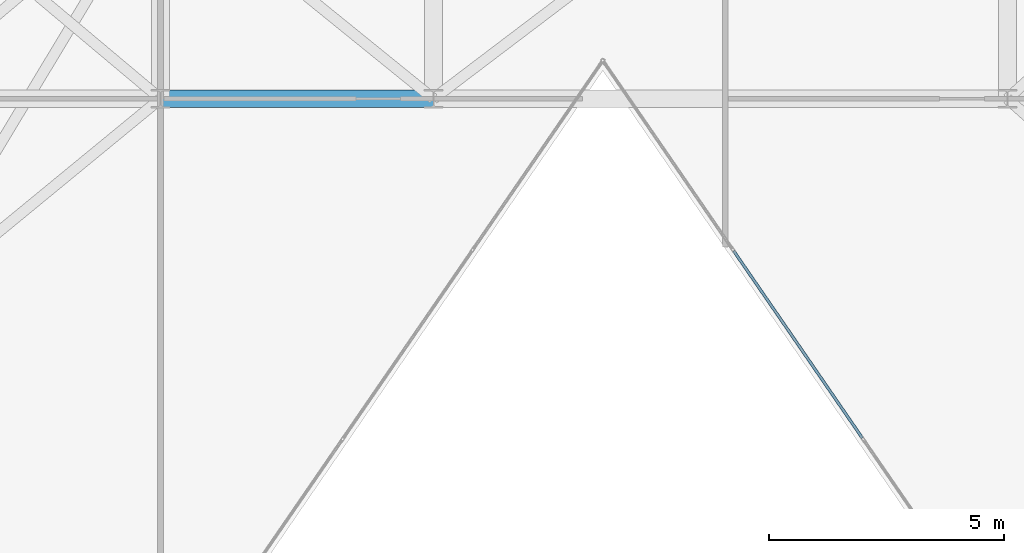
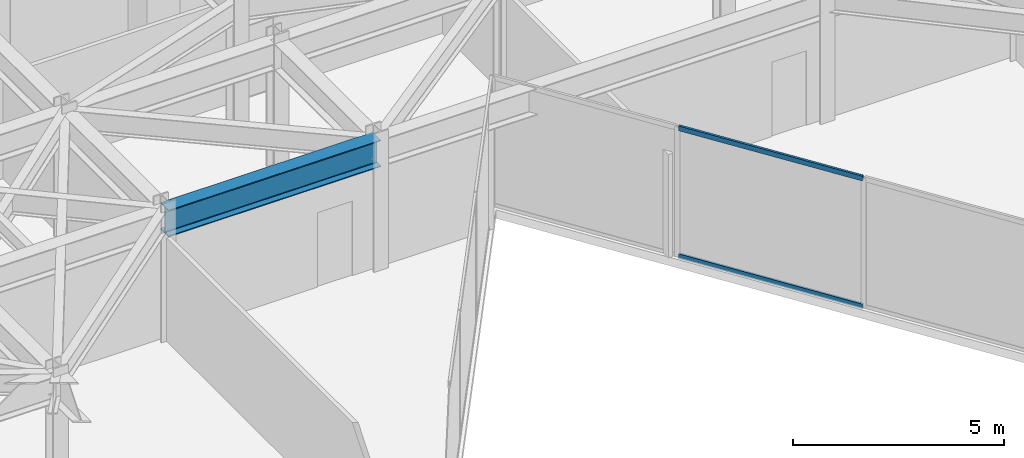
# One storey, part 7 of 26: 2 members, 1 beam, 1 element without a shape of its own.
"""IFC4 building model written with IfcOpenShell, lengths in metres."""

from ifc_helpers import new_model, si_unit, direction, frame, origin, origin_2d, place, context, subcontext, project, spatial, hollow_rectangle, i_section, extrude, material, layer, layer_set, material_profile, profile_set, type_object, element, aggregate, save


model = new_model("IFC4")

# Units and contexts
model_context = context("Model", 3, precision=1e-05, world=origin(), true_north=direction((0.0, 1.0)))
body_context = subcontext(model_context, "Body", "Model", "MODEL_VIEW")
ifc_project = project(units=[si_unit("LENGTHUNIT", "METRE"), si_unit("AREAUNIT", "SQUARE_METRE"), si_unit("VOLUMEUNIT", "CUBIC_METRE"), si_unit("PLANEANGLEUNIT", "RADIAN"), si_unit("MASSUNIT", "GRAM", prefix="KILO")], contexts=[model_context])

# Site, building, storey
site_placement = place(None, origin())
site = spatial("IfcSite", under=ifc_project, at=site_placement, CompositionType="ELEMENT")
building_placement = place(site_placement, origin())
building = spatial("IfcBuilding", under=site, at=building_placement, Name="Kravanh Interchange Tower", CompositionType="ELEMENT")
storey_placement = place(building_placement, frame((0.0, 0.0, 204.5)))
storey = spatial("IfcBuildingStorey", under=building, at=storey_placement, Name="L49", CompositionType="ELEMENT", Elevation=204.5)

# Curtain wall, members
ifc_material_1 = material(Name="Anodised Bronze Aluminium", Category="aluminium")
ifc_layer = layer(ifc_material_1, 0.179931640625)
ifc_layer_set = layer_set([ifc_layer], Name="Unitised Curtain Wall System CW-Z3 Upper Office")
curtain_wall_type = type_object("IfcCurtainWallType", Name="Unitised Curtain Wall System CW-Z3 Upper Office", PredefinedType="NOTDEFINED", material=ifc_layer_set)
curtain_wall_placement = place(storey_placement, origin())
curtain_wall = element("IfcCurtainWall", 1, at=curtain_wall_placement, inside=storey, type_object=curtain_wall_type, Name="L49 Unitised Curtain Wall CW-L49-04", PredefinedType="NOTDEFINED")
ifc_material_2 = material(Name="Anodised Bronze Aluminium", Category="aluminium")
ifc_material_profile_1 = material_profile(ifc_material_2, hollow_rectangle(XDim=0.06005859375, YDim=0.139892578125, WallThickness=0.00390625, at=origin_2d()), Name="ALU60X140X4")
ifc_profile_set_1 = profile_set([ifc_material_profile_1], Name="Anodised Bronze Aluminium")
member_type = type_object("IfcMemberType", Name="Curtain Wall Transom ALU60X140X4 Bronze", PredefinedType="USERDEFINED", material=ifc_profile_set_1)
member_1_placement = place(storey_placement, frame((47.714599609375, 19.590576171875, 0.030029296875), z_axis=(-0.566537417683, 0.824036015211, 0.0), x_axis=(-0.824036015211, -0.566537417683, 0.0)))
member_1 = element("IfcMember", 2, at=member_1_placement, type_object=member_type, Name="CW-Z3 transom 3.1", ObjectType="TRANSOM", PredefinedType="USERDEFINED", context=body_context, shape_type="SweptSolid", body=[
    extrude(hollow_rectangle(XDim=0.06005859375, YDim=0.139892578125, WallThickness=0.00390625, at=origin_2d()), origin(), (0.0, 0.0, 1.0), 4.822265625),
])
member_2_placement = place(storey_placement, frame((47.714599609375, 19.590576171875, 3.72509765625), z_axis=(-0.566537417683, 0.824036015211, 0.0), x_axis=(-0.824036015211, -0.566537417683, 0.0)))
member_2 = element("IfcMember", 3, at=member_2_placement, type_object=member_type, Name="CW-Z3 transom 3.2", ObjectType="TRANSOM", PredefinedType="USERDEFINED", context=body_context, shape_type="SweptSolid", body=[
    extrude(hollow_rectangle(XDim=0.06005859375, YDim=0.139892578125, WallThickness=0.00390625, at=origin_2d()), origin(), (0.0, 0.0, 1.0), 4.822265625),
])
aggregate(curtain_wall, [member_1, member_2])

# Beam
ifc_material_3 = material(Name="Structural Steel S355", Category="steel")
ifc_material_profile_2 = material_profile(ifc_material_3, i_section(OverallWidth=0.381103515625, OverallDepth=0.77294921875, WebThickness=0.0166015625, FlangeThickness=0.027099609375, FilletRadius=0.02490234375, at=origin_2d()), Name="W30X173")
ifc_profile_set_2 = profile_set([ifc_material_profile_2], Name="Structural Steel S355")
beam_type = type_object("IfcBeamType", Name="Floor Beam W30X173 Structural Steel S355", PredefinedType="BEAM", material=ifc_profile_set_2)
beam_placement = place(storey_placement, frame((32.800048828125, 26.800048828125, 3.368408203125), z_axis=(1.0, 0.0, 0.0), x_axis=(0.0, 1.0, 0.0)))
element("IfcBeam", 4, at=beam_placement, inside=storey, type_object=beam_type, Name="L49 Primary Floor Girder 42", PredefinedType="BEAM", context=body_context, shape_type="SweptSolid", body=[
    extrude(i_section(OverallWidth=0.381103515625, OverallDepth=0.77294921875, WebThickness=0.0166015625, FlangeThickness=0.027099609375, FilletRadius=0.02490234375, at=origin_2d()), origin(), (0.0, 0.0, 1.0), 5.800048828125),
])

save(model, "model.ifc")
